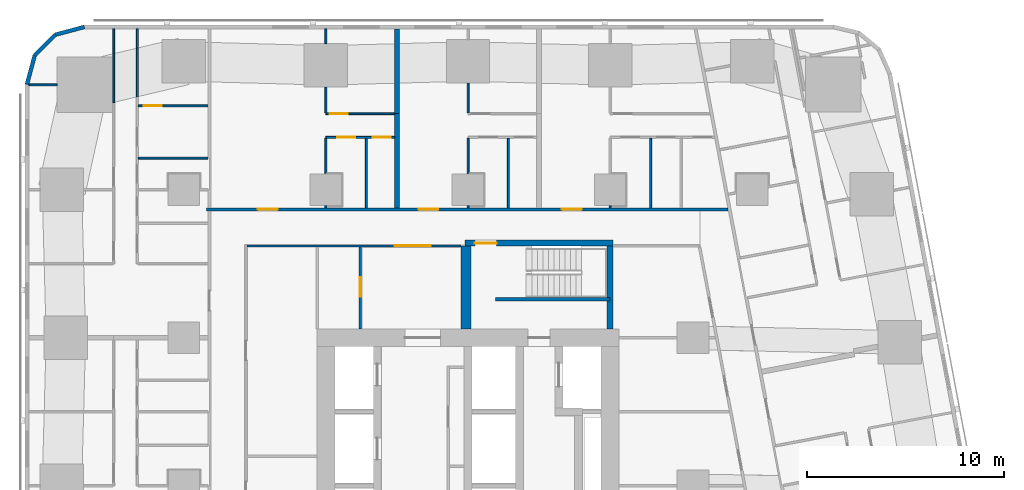
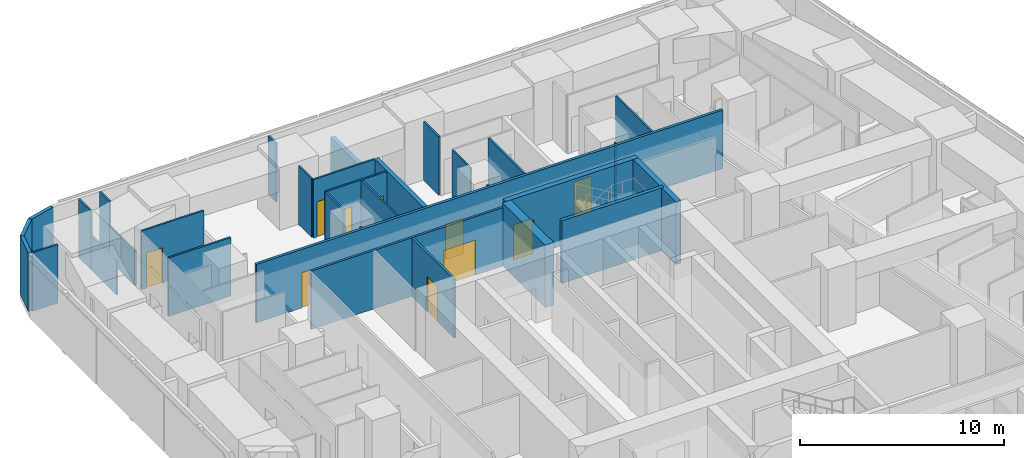
# One storey, part 10 of 16: 32 walls, 10 doors, 10 openings.
"""IFC4 building model written with IfcOpenShell, lengths in metres."""

from ifc_helpers import new_model, si_unit, direction, frame, frame_2d, origin, place, context, subcontext, project, spatial, rectangle, extrude, material, layer, layer_set, type_object, element, fill, save


model = new_model("IFC4")

# Units and contexts
model_context = context("Model", 3, precision=1e-05, world=origin(), true_north=direction((0.0, 1.0)))
body_context = subcontext(model_context, "Body", "Model", "MODEL_VIEW")
ifc_project = project(units=[si_unit("LENGTHUNIT", "METRE"), si_unit("AREAUNIT", "SQUARE_METRE"), si_unit("VOLUMEUNIT", "CUBIC_METRE"), si_unit("PLANEANGLEUNIT", "RADIAN"), si_unit("MASSUNIT", "GRAM", prefix="KILO")], contexts=[model_context])

# Site, building, storey
site_placement = place(None, origin())
site = spatial("IfcSite", under=ifc_project, at=site_placement, CompositionType="ELEMENT")
building_placement = place(site_placement, origin())
building = spatial("IfcBuilding", under=site, at=building_placement, Name="Sheger Commons Tower", CompositionType="ELEMENT")
storey_placement = place(building_placement, frame((0.0, 0.0, 96.64990234375)))
storey = spatial("IfcBuildingStorey", under=building, at=storey_placement, Name="L24", CompositionType="ELEMENT", Elevation=96.64990234375)

# Wall, openings, doors
ifc_material_1 = material(Name="Hollow concrete block masonry, skimmed both sides", Category="masonry")
ifc_layer_1 = layer(ifc_material_1, 0.14990234375)
ifc_layer_set_1 = layer_set([ifc_layer_1], Name="CORRIDOR WALL 150")
wall_type_1 = type_object("IfcWallType", Name="CORRIDOR WALL 150", PredefinedType="SOLIDWALL", material=ifc_layer_set_1)
wall_1_placement = place(storey_placement, frame((8.35009765625, 36.5, 0.0), z_axis=(0.0, 0.0, 1.0), x_axis=(1.0, 0.0, 0.0)))
wall_1 = element("IfcWall", 1, at=wall_1_placement, inside=storey, type_object=wall_type_1, Name="Corridor wall L24", PredefinedType="SOLIDWALL", context=body_context, shape_type="SweptSolid", body=[
    extrude(rectangle(XDim=26.414794921875, YDim=0.14990234375, at=frame_2d((13.20751953125, 0.0))), origin(), (0.0, 0.0, 1.0), 3.5),
])
opening_1_placement = place(wall_1_placement, frame((2.60009765625, 0.0, 0.0)))
opening_1 = element("IfcOpeningElement", 2, at=opening_1_placement, cuts=wall_1, Name="Opening D1", PredefinedType="OPENING", context=body_context, shape_type="SweptSolid", body=[
    extrude(rectangle(XDim=1.0, YDim=2.10009765625, at=frame_2d((0.5, 1.050048828125))), frame((0.0, 0.0849609375, 0.0), z_axis=(0.0, -1.0, 0.0), x_axis=(1.0, 0.0, 0.0)), (0.0, 0.0, 1.0), 0.169921875),
])
opening_2_placement = place(wall_1_placement, frame((10.75, 0.0, 0.0)))
opening_2 = element("IfcOpeningElement", 3, at=opening_2_placement, cuts=wall_1, Name="Opening D1", PredefinedType="OPENING", context=body_context, shape_type="SweptSolid", body=[
    extrude(rectangle(XDim=1.0, YDim=2.10009765625, at=frame_2d((0.5, 1.050048828125))), frame((0.0, 0.0849609375, 0.0), z_axis=(0.0, -1.0, 0.0), x_axis=(1.0, 0.0, 0.0)), (0.0, 0.0, 1.0), 0.169921875),
])
opening_3_placement = place(wall_1_placement, frame((18.007080078125, 0.0, 0.0)))
opening_3 = element("IfcOpeningElement", 4, at=opening_3_placement, cuts=wall_1, Name="Opening D1", PredefinedType="OPENING", context=body_context, shape_type="SweptSolid", body=[
    extrude(rectangle(XDim=1.0, YDim=2.10009765625, at=frame_2d((0.5, 1.050048828125))), frame((0.0, 0.0849609375, 0.0), z_axis=(0.0, -1.0, 0.0), x_axis=(1.0, 0.0, 0.0)), (0.0, 0.0, 1.0), 0.169921875),
])
ifc_material_2 = material(Name="Steel door set, fire rated", Category="steel")
door_type_1 = type_object("IfcDoorType", Name="FLAT ENTRANCE DOOR 1000x2100", OperationType="NOTDEFINED", PredefinedType="DOOR", material=ifc_material_2)
door_1_placement = place(opening_1_placement, origin())
door_1 = element("IfcDoor", 5, at=door_1_placement, inside=storey, type_object=door_type_1, Name="Flat entrance door", OperationType="SINGLE_SWING_LEFT", OverallHeight=2.10009765625, OverallWidth=1.0, PredefinedType="DOOR", context=body_context, shape_type="SweptSolid", body=[
    extrude(rectangle(XDim=1.0, YDim=2.10009765625, at=frame_2d((0.5, 1.050048828125))), frame((0.0, 0.02490234375, 0.0), z_axis=(0.0, -1.0, 0.0), x_axis=(1.0, 0.0, 0.0)), (0.0, 0.0, 1.0), 0.050048828125),
])
fill(opening_1, door_1)
door_2_placement = place(opening_2_placement, origin())
door_2 = element("IfcDoor", 6, at=door_2_placement, inside=storey, type_object=door_type_1, Name="Flat entrance door", OperationType="SINGLE_SWING_LEFT", OverallHeight=2.10009765625, OverallWidth=1.0, PredefinedType="DOOR", context=body_context, shape_type="SweptSolid", body=[
    extrude(rectangle(XDim=1.0, YDim=2.10009765625, at=frame_2d((0.5, 1.050048828125))), frame((0.0, 0.02490234375, 0.0), z_axis=(0.0, -1.0, 0.0), x_axis=(1.0, 0.0, 0.0)), (0.0, 0.0, 1.0), 0.050048828125),
])
fill(opening_2, door_2)
door_3_placement = place(opening_3_placement, origin())
door_3 = element("IfcDoor", 7, at=door_3_placement, inside=storey, type_object=door_type_1, Name="Flat entrance door", OperationType="SINGLE_SWING_LEFT", OverallHeight=2.10009765625, OverallWidth=1.0, PredefinedType="DOOR", context=body_context, shape_type="SweptSolid", body=[
    extrude(rectangle(XDim=1.0, YDim=2.10009765625, at=frame_2d((0.5, 1.050048828125))), frame((0.0, 0.02490234375, 0.0), z_axis=(0.0, -1.0, 0.0), x_axis=(1.0, 0.0, 0.0)), (0.0, 0.0, 1.0), 0.050048828125),
])
fill(opening_3, door_3)

# Walls
ifc_material_3 = material(Name="Dense concrete block masonry, plastered both sides (separating wall between flats)", Category="masonry")
ifc_layer_2 = layer(ifc_material_3, 0.25)
ifc_layer_set_2 = layer_set([ifc_layer_2], Name="DEMISING WALL 250")
wall_type_2 = type_object("IfcWallType", Name="DEMISING WALL 250", PredefinedType="SOLIDWALL", material=ifc_layer_set_2)
wall_2_placement = place(storey_placement, frame((18.0, 41.35009765625, 0.0), z_axis=(0.0, 0.0, 1.0), x_axis=(0.0, 1.0, 0.0)))
element("IfcWall", 8, at=wall_2_placement, inside=storey, type_object=wall_type_2, Name="Demising wall L24", PredefinedType="SOLIDWALL", context=body_context, shape_type="SweptSolid", body=[
    extrude(rectangle(XDim=4.2998046875, YDim=0.25, at=frame_2d((2.14990234375, 0.0))), origin(), (0.0, 0.0, 1.0), 2.2001953125),
])
wall_3_placement = place(storey_placement, frame((18.0, 36.574951171875, 0.0), z_axis=(0.0, 0.0, 1.0), x_axis=(0.0, 1.0, 0.0)))
element("IfcWall", 9, at=wall_3_placement, inside=storey, type_object=wall_type_2, Name="Demising wall L24", PredefinedType="SOLIDWALL", context=body_context, shape_type="SweptSolid", body=[
    extrude(rectangle(XDim=4.775146484375, YDim=0.25, at=frame_2d((2.3876953125, 0.0))), origin(), (0.0, 0.0, 1.0), 3.5),
])
ifc_material_4 = material(Name="Rendered concrete block masonry, dark grey", Category="masonry")
ifc_layer_3 = layer(ifc_material_4, 0.199951171875)
ifc_layer_set_3 = layer_set([ifc_layer_3], Name="FACADE WALL 200")
wall_type_3 = type_object("IfcWallType", Name="FACADE WALL 200", PredefinedType="SOLIDWALL", material=ifc_layer_set_3)
wall_4_placement = place(storey_placement, frame((2.1630859375, 45.75, 0.0), z_axis=(0.0, 0.0, 1.0), x_axis=(-0.965832000415, -0.259168954497, 0.0)))
element("IfcWall", 10, at=wall_4_placement, inside=storey, type_object=wall_type_3, Name="Facade wall L24", PredefinedType="SOLIDWALL", context=body_context, shape_type="SweptSolid", body=[
    extrude(rectangle(XDim=1.512939453125, YDim=0.199951171875, at=frame_2d((0.75634765625, 0.0))), origin(), (0.0, 0.0, 1.0), 3.5),
])
wall_5_placement = place(storey_placement, frame((0.701904296875, 45.35791015625, 0.0), z_axis=(0.0, 0.0, 1.0), x_axis=(-0.707106781187, -0.707106781187, 0.0)))
element("IfcWall", 11, at=wall_5_placement, inside=storey, type_object=wall_type_3, Name="Facade wall L24", PredefinedType="SOLIDWALL", context=body_context, shape_type="SweptSolid", body=[
    extrude(rectangle(XDim=1.498779296875, YDim=0.199951171875, at=frame_2d((0.74951171875, 0.0))), origin(), (0.0, 0.0, 1.0), 3.5),
])
wall_6_placement = place(storey_placement, frame((-0.35791015625, 44.298095703125, 0.0), z_axis=(0.0, 0.0, 1.0), x_axis=(-0.259168954497, -0.965832000415, 0.0)))
element("IfcWall", 12, at=wall_6_placement, inside=storey, type_object=wall_type_3, Name="Facade wall L24", PredefinedType="SOLIDWALL", context=body_context, shape_type="SweptSolid", body=[
    extrude(rectangle(XDim=1.512939453125, YDim=0.199951171875, at=frame_2d((0.75634765625, 0.0))), origin(), (0.0, 0.0, 1.0), 3.5),
])
ifc_material_5 = material(Name="Gypsum board on steel studs", Category="steel")
ifc_layer_4 = layer(ifc_material_5, 0.10009765625)
ifc_layer_set_4 = layer_set([ifc_layer_4], Name="PARTITION 100")
wall_type_4 = type_object("IfcWallType", Name="PARTITION 100", PredefinedType="PARTITIONING", material=ifc_layer_set_4)
wall_7_placement = place(storey_placement, frame((3.64990234375, 41.9150390625, 0.0), z_axis=(0.0, 0.0, 1.0), x_axis=(0.0, 1.0, 0.0)))
element("IfcWall", 13, at=wall_7_placement, inside=storey, type_object=wall_type_4, Name="Partition L24", PredefinedType="PARTITIONING", context=body_context, shape_type="SweptSolid", body=[
    extrude(rectangle(XDim=2.489990234375, YDim=0.10009765625, at=frame_2d((1.2451171875, 0.0))), origin(), (0.0, 0.0, 1.0), 2.050048828125),
])
wall_8_placement = place(storey_placement, frame((3.64990234375, 44.405029296875, 0.0), z_axis=(0.0, 0.0, 1.0), x_axis=(0.0, 1.0, 0.0)))
element("IfcWall", 14, at=wall_8_placement, inside=storey, type_object=wall_type_4, Name="Partition L24", PredefinedType="PARTITIONING", context=body_context, shape_type="SweptSolid", body=[
    extrude(rectangle(XDim=1.244873046875, YDim=0.10009765625, at=frame_2d((0.62255859375, 0.0))), origin(), (0.0, 0.0, 1.0), 3.5),
])
wall_9_placement = place(storey_placement, frame((4.85009765625, 42.198974609375, 0.0), z_axis=(0.0, 0.0, 1.0), x_axis=(0.0, 1.0, 0.0)))
element("IfcWall", 15, at=wall_9_placement, inside=storey, type_object=wall_type_4, Name="Partition L24", PredefinedType="PARTITIONING", context=body_context, shape_type="SweptSolid", body=[
    extrude(rectangle(XDim=2.489990234375, YDim=0.10009765625, at=frame_2d((1.2451171875, 0.0))), origin(), (0.0, 0.0, 1.0), 2.050048828125),
])
wall_10_placement = place(storey_placement, frame((4.85009765625, 44.68896484375, 0.0), z_axis=(0.0, 0.0, 1.0), x_axis=(0.0, 1.0, 0.0)))
element("IfcWall", 16, at=wall_10_placement, inside=storey, type_object=wall_type_4, Name="Partition L24", PredefinedType="PARTITIONING", context=body_context, shape_type="SweptSolid", body=[
    extrude(rectangle(XDim=0.9609375, YDim=0.10009765625, at=frame_2d((0.48046875, 0.0))), origin(), (0.0, 0.0, 1.0), 3.5),
])
wall_11_placement = place(storey_placement, frame((-0.64990234375, 42.81396484375, 0.0), z_axis=(0.0, 0.0, 1.0), x_axis=(1.0, 0.0, 0.0)))
element("IfcWall", 17, at=wall_11_placement, inside=storey, type_object=wall_type_4, Name="Partition L24", PredefinedType="PARTITIONING", context=body_context, shape_type="SweptSolid", body=[
    extrude(rectangle(XDim=1.434814453125, YDim=0.10009765625, at=frame_2d((0.71728515625, 0.0))), origin(), (0.0, 0.0, 1.0), 3.5),
])
wall_12_placement = place(storey_placement, frame((4.89990234375, 39.10009765625, 0.0), z_axis=(0.0, 0.0, 1.0), x_axis=(1.0, 0.0, 0.0)))
element("IfcWall", 18, at=wall_12_placement, inside=storey, type_object=wall_type_4, Name="Partition L24", PredefinedType="PARTITIONING", context=body_context, shape_type="SweptSolid", body=[
    extrude(rectangle(XDim=3.525146484375, YDim=0.10009765625, at=frame_2d((1.7626953125, 0.0))), origin(), (0.0, 0.0, 1.0), 3.5),
])

# Wall, opening, door
wall_13_placement = place(storey_placement, frame((14.39990234375, 41.35009765625, 0.0), z_axis=(0.0, 0.0, 1.0), x_axis=(1.0, 0.0, 0.0)))
wall_13 = element("IfcWall", 19, at=wall_13_placement, inside=storey, type_object=wall_type_4, Name="Partition L24", PredefinedType="PARTITIONING", context=body_context, shape_type="SweptSolid", body=[
    extrude(rectangle(XDim=3.47509765625, YDim=0.10009765625, at=frame_2d((1.737548828125, 0.0))), origin(), (0.0, 0.0, 1.0), 3.5),
])
opening_4_placement = place(wall_13_placement, frame((0.199951171875, 0.0, 0.0)))
opening_4 = element("IfcOpeningElement", 20, at=opening_4_placement, cuts=wall_13, Name="Opening D2", PredefinedType="OPENING", context=body_context, shape_type="SweptSolid", body=[
    extrude(rectangle(XDim=0.89990234375, YDim=2.10009765625, at=frame_2d((0.449951171875, 1.050048828125))), frame((0.0, 0.06005859375, 0.0), z_axis=(0.0, -1.0, 0.0), x_axis=(1.0, 0.0, 0.0)), (0.0, 0.0, 1.0), 0.1201171875),
])
ifc_material_6 = material(Name="Timber door set", Category="wood")
door_type_2 = type_object("IfcDoorType", Name="INTERNAL DOOR 900x2100", OperationType="NOTDEFINED", PredefinedType="DOOR", material=ifc_material_6)
door_4_placement = place(opening_4_placement, origin())
door_4 = element("IfcDoor", 21, at=door_4_placement, inside=storey, type_object=door_type_2, Name="Main bedroom door", OperationType="SINGLE_SWING_LEFT", OverallHeight=2.10009765625, OverallWidth=0.89990234375, PredefinedType="DOOR", context=body_context, shape_type="SweptSolid", body=[
    extrude(rectangle(XDim=0.89990234375, YDim=2.10009765625, at=frame_2d((0.449951171875, 1.050048828125))), frame((0.0, 0.02490234375, 0.0), z_axis=(0.0, -1.0, 0.0), x_axis=(1.0, 0.0, 0.0)), (0.0, 0.0, 1.0), 0.050048828125),
])
fill(opening_4, door_4)

# Wall, openings, doors
wall_14_placement = place(storey_placement, frame((14.39990234375, 40.14990234375, 0.0), z_axis=(0.0, 0.0, 1.0), x_axis=(1.0, 0.0, 0.0)))
wall_14 = element("IfcWall", 22, at=wall_14_placement, inside=storey, type_object=wall_type_4, Name="Partition L24", PredefinedType="PARTITIONING", context=body_context, shape_type="SweptSolid", body=[
    extrude(rectangle(XDim=3.47509765625, YDim=0.10009765625, at=frame_2d((1.737548828125, 0.0))), origin(), (0.0, 0.0, 1.0), 3.5),
])
opening_5_placement = place(wall_14_placement, frame((0.574951171875, 0.0, 0.0)))
opening_5 = element("IfcOpeningElement", 23, at=opening_5_placement, cuts=wall_14, Name="Opening D2", PredefinedType="OPENING", context=body_context, shape_type="SweptSolid", body=[
    extrude(rectangle(XDim=0.89990234375, YDim=2.10009765625, at=frame_2d((0.449951171875, 1.050048828125))), frame((0.0, 0.06005859375, 0.0), z_axis=(0.0, -1.0, 0.0), x_axis=(1.0, 0.0, 0.0)), (0.0, 0.0, 1.0), 0.1201171875),
])
opening_6_placement = place(wall_14_placement, frame((2.375, 0.0, 0.0)))
opening_6 = element("IfcOpeningElement", 24, at=opening_6_placement, cuts=wall_14, Name="Opening D2", PredefinedType="OPENING", context=body_context, shape_type="SweptSolid", body=[
    extrude(rectangle(XDim=0.89990234375, YDim=2.10009765625, at=frame_2d((0.449951171875, 1.050048828125))), frame((0.0, 0.06005859375, 0.0), z_axis=(0.0, -1.0, 0.0), x_axis=(1.0, 0.0, 0.0)), (0.0, 0.0, 1.0), 0.1201171875),
])
door_5_placement = place(opening_5_placement, origin())
door_5 = element("IfcDoor", 25, at=door_5_placement, inside=storey, type_object=door_type_2, Name="Bathroom door", OperationType="SINGLE_SWING_RIGHT", OverallHeight=2.10009765625, OverallWidth=0.89990234375, PredefinedType="DOOR", context=body_context, shape_type="SweptSolid", body=[
    extrude(rectangle(XDim=0.89990234375, YDim=2.10009765625, at=frame_2d((0.449951171875, 1.050048828125))), frame((0.0, 0.02490234375, 0.0), z_axis=(0.0, -1.0, 0.0), x_axis=(1.0, 0.0, 0.0)), (0.0, 0.0, 1.0), 0.050048828125),
])
fill(opening_5, door_5)
door_6_placement = place(opening_6_placement, origin())
door_6 = element("IfcDoor", 26, at=door_6_placement, inside=storey, type_object=door_type_2, Name="Store door", OperationType="SINGLE_SWING_LEFT", OverallHeight=2.10009765625, OverallWidth=0.89990234375, PredefinedType="DOOR", context=body_context, shape_type="SweptSolid", body=[
    extrude(rectangle(XDim=0.89990234375, YDim=2.10009765625, at=frame_2d((0.449951171875, 1.050048828125))), frame((0.0, 0.02490234375, 0.0), z_axis=(0.0, -1.0, 0.0), x_axis=(1.0, 0.0, 0.0)), (0.0, 0.0, 1.0), 0.050048828125),
])
fill(opening_6, door_6)

# Walls
wall_15_placement = place(storey_placement, frame((14.39990234375, 41.39990234375, 0.0), z_axis=(0.0, 0.0, 1.0), x_axis=(0.0, 1.0, 0.0)))
element("IfcWall", 27, at=wall_15_placement, inside=storey, type_object=wall_type_4, Name="Partition L24", PredefinedType="PARTITIONING", context=body_context, shape_type="SweptSolid", body=[
    extrude(rectangle(XDim=1.299072265625, YDim=0.10009765625, at=frame_2d((0.6494140625, 0.0))), origin(), (0.0, 0.0, 1.0), 3.5),
])
wall_16_placement = place(storey_placement, frame((14.39990234375, 44.90087890625, 0.0), z_axis=(0.0, 0.0, 1.0), x_axis=(0.0, 1.0, 0.0)))
element("IfcWall", 28, at=wall_16_placement, inside=storey, type_object=wall_type_4, Name="Partition L24", PredefinedType="PARTITIONING", context=body_context, shape_type="SweptSolid", body=[
    extrude(rectangle(XDim=0.7490234375, YDim=0.10009765625, at=frame_2d((0.37451171875, 0.0))), origin(), (0.0, 0.0, 1.0), 3.5),
])
wall_17_placement = place(storey_placement, frame((14.39990234375, 36.574951171875, 0.0), z_axis=(0.0, 0.0, 1.0), x_axis=(0.0, 1.0, 0.0)))
element("IfcWall", 29, at=wall_17_placement, inside=storey, type_object=wall_type_4, Name="Partition L24", PredefinedType="PARTITIONING", context=body_context, shape_type="SweptSolid", body=[
    extrude(rectangle(XDim=0.1240234375, YDim=0.10009765625, at=frame_2d((0.06201171875, 0.0))), origin(), (0.0, 0.0, 1.0), 3.5),
])
wall_18_placement = place(storey_placement, frame((14.39990234375, 38.301025390625, 0.0), z_axis=(0.0, 0.0, 1.0), x_axis=(0.0, 1.0, 0.0)))
element("IfcWall", 30, at=wall_18_placement, inside=storey, type_object=wall_type_4, Name="Partition L24", PredefinedType="PARTITIONING", context=body_context, shape_type="SweptSolid", body=[
    extrude(rectangle(XDim=1.799072265625, YDim=0.10009765625, at=frame_2d((0.8994140625, 0.0))), origin(), (0.0, 0.0, 1.0), 3.5),
])
wall_19_placement = place(storey_placement, frame((16.449951171875, 36.574951171875, 0.0), z_axis=(0.0, 0.0, 1.0), x_axis=(0.0, 1.0, 0.0)))
element("IfcWall", 31, at=wall_19_placement, inside=storey, type_object=wall_type_4, Name="Partition L24", PredefinedType="PARTITIONING", context=body_context, shape_type="SweptSolid", body=[
    extrude(rectangle(XDim=3.525146484375, YDim=0.10009765625, at=frame_2d((1.7626953125, 0.0))), origin(), (0.0, 0.0, 1.0), 3.5),
])
wall_20_placement = place(storey_placement, frame((21.60009765625, 41.39990234375, 0.0), z_axis=(0.0, 0.0, 1.0), x_axis=(0.0, 1.0, 0.0)))
element("IfcWall", 32, at=wall_20_placement, inside=storey, type_object=wall_type_4, Name="Partition L24", PredefinedType="PARTITIONING", context=body_context, shape_type="SweptSolid", body=[
    extrude(rectangle(XDim=1.4990234375, YDim=0.10009765625, at=frame_2d((0.74951171875, 0.0))), origin(), (0.0, 0.0, 1.0), 3.5),
])
wall_21_placement = place(storey_placement, frame((21.60009765625, 36.574951171875, 0.0), z_axis=(0.0, 0.0, 1.0), x_axis=(0.0, 1.0, 0.0)))
element("IfcWall", 33, at=wall_21_placement, inside=storey, type_object=wall_type_4, Name="Partition L24", PredefinedType="PARTITIONING", context=body_context, shape_type="SweptSolid", body=[
    extrude(rectangle(XDim=0.1240234375, YDim=0.10009765625, at=frame_2d((0.06201171875, 0.0))), origin(), (0.0, 0.0, 1.0), 3.5),
])
wall_22_placement = place(storey_placement, frame((21.60009765625, 38.301025390625, 0.0), z_axis=(0.0, 0.0, 1.0), x_axis=(0.0, 1.0, 0.0)))
element("IfcWall", 34, at=wall_22_placement, inside=storey, type_object=wall_type_4, Name="Partition L24", PredefinedType="PARTITIONING", context=body_context, shape_type="SweptSolid", body=[
    extrude(rectangle(XDim=1.799072265625, YDim=0.10009765625, at=frame_2d((0.8994140625, 0.0))), origin(), (0.0, 0.0, 1.0), 3.5),
])
wall_23_placement = place(storey_placement, frame((23.64990234375, 36.574951171875, 0.0), z_axis=(0.0, 0.0, 1.0), x_axis=(0.0, 1.0, 0.0)))
element("IfcWall", 35, at=wall_23_placement, inside=storey, type_object=wall_type_4, Name="Partition L24", PredefinedType="PARTITIONING", context=body_context, shape_type="SweptSolid", body=[
    extrude(rectangle(XDim=3.525146484375, YDim=0.10009765625, at=frame_2d((1.7626953125, 0.0))), origin(), (0.0, 0.0, 1.0), 3.5),
])
wall_24_placement = place(storey_placement, frame((28.800048828125, 36.574951171875, 0.0), z_axis=(0.0, 0.0, 1.0), x_axis=(0.0, 1.0, 0.0)))
element("IfcWall", 36, at=wall_24_placement, inside=storey, type_object=wall_type_4, Name="Partition L24", PredefinedType="PARTITIONING", context=body_context, shape_type="SweptSolid", body=[
    extrude(rectangle(XDim=0.1240234375, YDim=0.10009765625, at=frame_2d((0.06201171875, 0.0))), origin(), (0.0, 0.0, 1.0), 3.5),
])
wall_25_placement = place(storey_placement, frame((30.85009765625, 36.574951171875, 0.0), z_axis=(0.0, 0.0, 1.0), x_axis=(0.0, 1.0, 0.0)))
element("IfcWall", 37, at=wall_25_placement, inside=storey, type_object=wall_type_4, Name="Partition L24", PredefinedType="PARTITIONING", context=body_context, shape_type="SweptSolid", body=[
    extrude(rectangle(XDim=3.525146484375, YDim=0.10009765625, at=frame_2d((1.7626953125, 0.0))), origin(), (0.0, 0.0, 1.0), 3.5),
])

# Wall, opening, door
wall_26_placement = place(storey_placement, frame((8.425048828125, 41.75, 0.0), z_axis=(0.0, 0.0, 1.0), x_axis=(-1.0, 0.0, 0.0)))
wall_26 = element("IfcWall", 38, at=wall_26_placement, inside=storey, type_object=wall_type_4, Name="Partition L24", PredefinedType="PARTITIONING", context=body_context, shape_type="SweptSolid", body=[
    extrude(rectangle(XDim=3.525146484375, YDim=0.10009765625, at=frame_2d((1.7626953125, 0.0))), origin(), (0.0, 0.0, 1.0), 3.5),
])
opening_7_placement = place(wall_26_placement, frame((2.35009765625, 0.0, 0.0)))
opening_7 = element("IfcOpeningElement", 39, at=opening_7_placement, cuts=wall_26, Name="Opening D2", PredefinedType="OPENING", context=body_context, shape_type="SweptSolid", body=[
    extrude(rectangle(XDim=0.89990234375, YDim=2.10009765625, at=frame_2d((0.449951171875, 1.050048828125))), frame((0.0, 0.06005859375, 0.0), z_axis=(0.0, -1.0, 0.0), x_axis=(1.0, 0.0, 0.0)), (0.0, 0.0, 1.0), 0.1201171875),
])
door_7_placement = place(opening_7_placement, origin())
door_7 = element("IfcDoor", 40, at=door_7_placement, inside=storey, type_object=door_type_2, Name="Store door", OperationType="SINGLE_SWING_LEFT", OverallHeight=2.10009765625, OverallWidth=0.89990234375, PredefinedType="DOOR", context=body_context, shape_type="SweptSolid", body=[
    extrude(rectangle(XDim=0.89990234375, YDim=2.10009765625, at=frame_2d((0.449951171875, 1.050048828125))), frame((0.0, 0.02490234375, 0.0), z_axis=(0.0, -1.0, 0.0), x_axis=(1.0, 0.0, 0.0)), (0.0, 0.0, 1.0), 0.050048828125),
])
fill(opening_7, door_7)

ifc_material_7 = material(Name="Gypsum board on steel studs, two layers each side, fire rated", Category="steel")
ifc_layer_5 = layer(ifc_material_7, 0.125)
ifc_layer_set_5 = layer_set([ifc_layer_5], Name="SERVICE WALL 125")
wall_type_5 = type_object("IfcWallType", Name="SERVICE WALL 125", PredefinedType="PARTITIONING", material=ifc_layer_set_5)
wall_27_placement = place(storey_placement, frame((10.4130859375, 34.64990234375, 0.0), z_axis=(0.0, 0.0, 1.0), x_axis=(1.0, 0.0, 0.0)))
wall_27 = element("IfcWall", 41, at=wall_27_placement, inside=storey, type_object=wall_type_5, Name="Service room wall L24", PredefinedType="PARTITIONING", context=body_context, shape_type="SweptSolid", body=[
    extrude(rectangle(XDim=10.8369140625, YDim=0.125, at=frame_2d((5.41845703125, 0.0))), origin(), (0.0, 0.0, 1.0), 3.5),
])
opening_8_placement = place(wall_27_placement, frame((7.487060546875, 0.0, 0.0)))
opening_8 = element("IfcOpeningElement", 42, at=opening_8_placement, cuts=wall_27, Name="Opening D6", PredefinedType="OPENING", context=body_context, shape_type="SweptSolid", body=[
    extrude(rectangle(XDim=1.800048828125, YDim=2.10009765625, at=frame_2d((0.89990234375, 1.050048828125))), frame((0.0, 0.072509765625, 0.0), z_axis=(0.0, -1.0, 0.0), x_axis=(1.0, 0.0, 0.0)), (0.0, 0.0, 1.0), 0.14501953125),
])
ifc_material_8 = material(Name="Steel door set, fire rated", Category="steel")
door_type_3 = type_object("IfcDoorType", Name="LOBBY DOUBLE DOOR 1800x2100", OperationType="DOUBLE_DOOR_SINGLE_SWING", PredefinedType="DOOR", material=ifc_material_8)
door_8_placement = place(opening_8_placement, origin())
door_8 = element("IfcDoor", 43, at=door_8_placement, inside=storey, type_object=door_type_3, Name="Lift lobby north door", OperationType="DOUBLE_DOOR_SINGLE_SWING", OverallHeight=2.10009765625, OverallWidth=1.800048828125, PredefinedType="DOOR", context=body_context, shape_type="SweptSolid", body=[
    extrude(rectangle(XDim=1.800048828125, YDim=2.10009765625, at=frame_2d((0.89990234375, 1.050048828125))), frame((0.0, 0.02490234375, 0.0), z_axis=(0.0, -1.0, 0.0), x_axis=(1.0, 0.0, 0.0)), (0.0, 0.0, 1.0), 0.050048828125),
])
fill(opening_8, door_8)

wall_28_placement = place(storey_placement, frame((16.14990234375, 30.449951171875, 0.0), z_axis=(0.0, 0.0, 1.0), x_axis=(0.0, 1.0, 0.0)))
wall_28 = element("IfcWall", 44, at=wall_28_placement, inside=storey, type_object=wall_type_5, Name="Service room wall L24", PredefinedType="PARTITIONING", context=body_context, shape_type="SweptSolid", body=[
    extrude(rectangle(XDim=4.136962890625, YDim=0.125, at=frame_2d((2.068359375, 0.0))), origin(), (0.0, 0.0, 1.0), 3.5),
])
opening_9_placement = place(wall_28_placement, frame((1.625, 0.0, 0.0)))
opening_9 = element("IfcOpeningElement", 45, at=opening_9_placement, cuts=wall_28, Name="Opening D4", PredefinedType="OPENING", context=body_context, shape_type="SweptSolid", body=[
    extrude(rectangle(XDim=1.0, YDim=2.10009765625, at=frame_2d((0.5, 1.050048828125))), frame((0.0, 0.072509765625, 0.0), z_axis=(0.0, -1.0, 0.0), x_axis=(1.0, 0.0, 0.0)), (0.0, 0.0, 1.0), 0.14501953125),
])
ifc_material_9 = material(Name="Steel door set, fire rated", Category="steel")
door_type_4 = type_object("IfcDoorType", Name="SERVICE DOOR 1000x2100", OperationType="NOTDEFINED", PredefinedType="DOOR", material=ifc_material_9)
door_9_placement = place(opening_9_placement, origin())
door_9 = element("IfcDoor", 46, at=door_9_placement, inside=storey, type_object=door_type_4, Name="Telecom room door", OperationType="SINGLE_SWING_RIGHT", OverallHeight=2.10009765625, OverallWidth=1.0, PredefinedType="DOOR", context=body_context, shape_type="SweptSolid", body=[
    extrude(rectangle(XDim=1.0, YDim=2.10009765625, at=frame_2d((0.5, 1.050048828125))), frame((0.0, 0.02490234375, 0.0), z_axis=(0.0, -1.0, 0.0), x_axis=(1.0, 0.0, 0.0)), (0.0, 0.0, 1.0), 0.050048828125),
])
fill(opening_9, door_9)

ifc_material_10 = material(Name="Concrete C50/60", Category="concrete")
ifc_layer_6 = layer(ifc_material_10, 0.300048828125)
ifc_layer_set_6 = layer_set([ifc_layer_6], Name="STAIR CORE WALL 300")
wall_type_6 = type_object("IfcWallType", Name="STAIR CORE WALL 300", PredefinedType="SHEAR", material=ifc_layer_set_6)
wall_29_placement = place(storey_placement, frame((21.449951171875, 34.800048828125, 0.0), z_axis=(0.0, 0.0, 1.0), x_axis=(1.0, 0.0, 0.0)))
wall_29 = element("IfcWall", 47, at=wall_29_placement, inside=storey, type_object=wall_type_6, Name="STW-L24-S2N", PredefinedType="SHEAR", context=body_context, shape_type="SweptSolid", body=[
    extrude(rectangle(XDim=7.5, YDim=0.300048828125, at=frame_2d((3.75, 0.0))), origin(), (0.0, 0.0, 1.0), 3.75),
])
opening_10_placement = place(wall_29_placement, frame((0.5, 0.0, 0.0)))
opening_10 = element("IfcOpeningElement", 48, at=opening_10_placement, cuts=wall_29, Name="Opening D5", PredefinedType="OPENING", context=body_context, shape_type="SweptSolid", body=[
    extrude(rectangle(XDim=1.10009765625, YDim=2.10009765625, at=frame_2d((0.550048828125, 1.050048828125))), frame((0.0, 0.159912109375, 0.0), z_axis=(0.0, -1.0, 0.0), x_axis=(1.0, 0.0, 0.0)), (0.0, 0.0, 1.0), 0.320068359375),
])
ifc_material_11 = material(Name="Steel door set, fire rated", Category="steel")
door_type_5 = type_object("IfcDoorType", Name="STAIR DOOR 1100x2100", OperationType="NOTDEFINED", PredefinedType="DOOR", material=ifc_material_11)
door_10_placement = place(opening_10_placement, origin())
door_10 = element("IfcDoor", 49, at=door_10_placement, inside=storey, type_object=door_type_5, Name="Stair S2 door", OperationType="SINGLE_SWING_RIGHT", OverallHeight=2.10009765625, OverallWidth=1.10009765625, PredefinedType="DOOR", context=body_context, shape_type="SweptSolid", body=[
    extrude(rectangle(XDim=1.10009765625, YDim=2.10009765625, at=frame_2d((0.550048828125, 1.050048828125))), frame((0.0, 0.02490234375, 0.0), z_axis=(0.0, -1.0, 0.0), x_axis=(1.0, 0.0, 0.0)), (0.0, 0.0, 1.0), 0.050048828125),
])
fill(opening_10, door_10)

# Walls
wall_30_placement = place(storey_placement, frame((28.800048828125, 30.449951171875, 0.0), z_axis=(0.0, 0.0, 1.0), x_axis=(0.0, 1.0, 0.0)))
element("IfcWall", 50, at=wall_30_placement, inside=storey, type_object=wall_type_6, Name="STW-L24-S2E", PredefinedType="SHEAR", context=body_context, shape_type="SweptSolid", body=[
    extrude(rectangle(XDim=4.199951171875, YDim=0.300048828125, at=frame_2d((2.10009765625, 0.0))), origin(), (0.0, 0.0, 1.0), 3.75),
])
ifc_material_12 = material(Name="Concrete C50/60", Category="concrete")
ifc_layer_7 = layer(ifc_material_12, 0.5)
ifc_layer_set_7 = layer_set([ifc_layer_7], Name="STAIR CORE WALL 500")
wall_type_7 = type_object("IfcWallType", Name="STAIR CORE WALL 500", PredefinedType="SHEAR", material=ifc_layer_set_7)
wall_31_placement = place(storey_placement, frame((21.5, 30.449951171875, 0.0), z_axis=(0.0, 0.0, 1.0), x_axis=(0.0, 1.0, 0.0)))
element("IfcWall", 51, at=wall_31_placement, inside=storey, type_object=wall_type_7, Name="STW-L24-S2W", PredefinedType="SHEAR", context=body_context, shape_type="SweptSolid", body=[
    extrude(rectangle(XDim=4.199951171875, YDim=0.5, at=frame_2d((2.10009765625, 0.0))), origin(), (0.0, 0.0, 1.0), 3.75),
])
ifc_material_13 = material(Name="Concrete C50/60", Category="concrete")
ifc_layer_8 = layer(ifc_material_13, 0.199951171875)
ifc_layer_set_8 = layer_set([ifc_layer_8], Name="STAIR SPINE WALL 200")
wall_type_8 = type_object("IfcWallType", Name="STAIR SPINE WALL 200", PredefinedType="SHEAR", material=ifc_layer_set_8)
wall_32_placement = place(storey_placement, frame((23.0, 31.949951171875, 0.0), z_axis=(0.0, 0.0, 1.0), x_axis=(1.0, 0.0, 0.0)))
element("IfcWall", 52, at=wall_32_placement, inside=storey, type_object=wall_type_8, Name="Stair spine wall L24", PredefinedType="SHEAR", context=body_context, shape_type="SweptSolid", body=[
    extrude(rectangle(XDim=5.800048828125, YDim=0.199951171875, at=frame_2d((2.89990234375, 0.0))), origin(), (0.0, 0.0, 1.0), 3.75),
])

save(model, "model.ifc")
